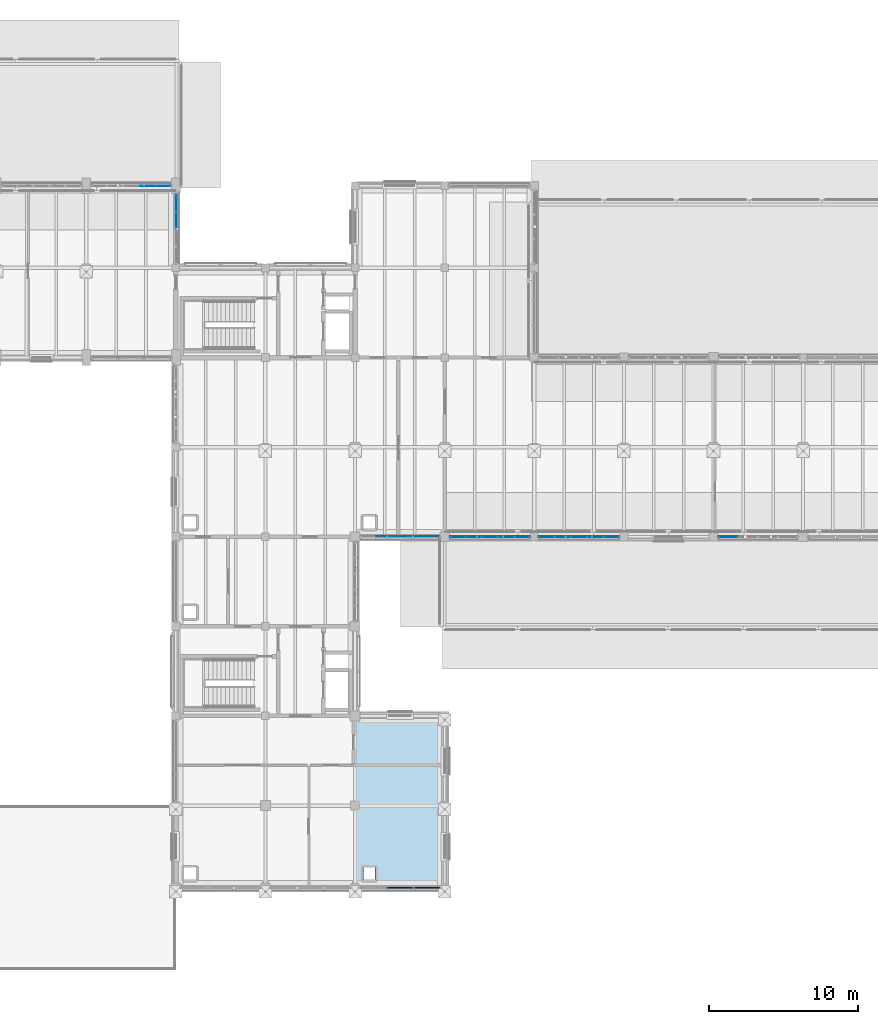
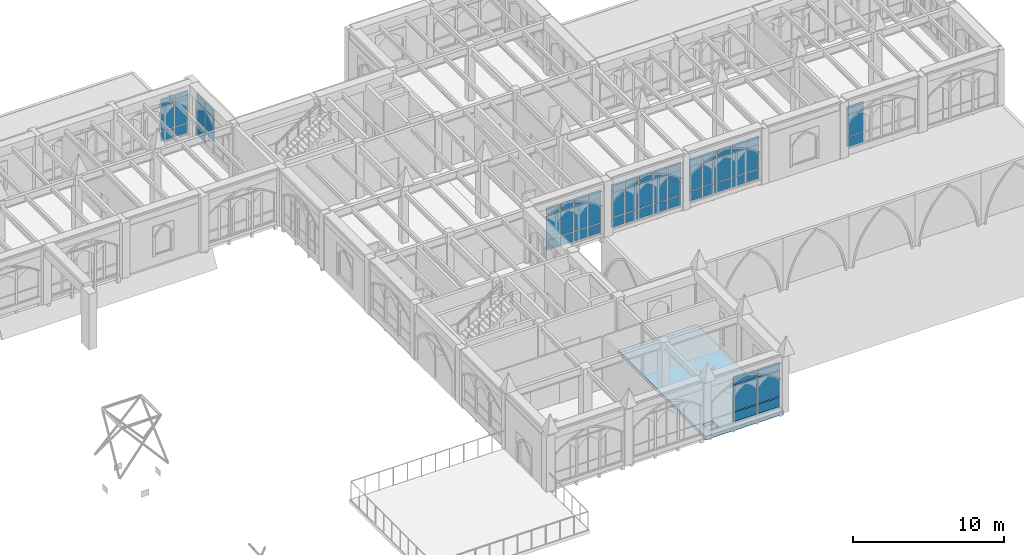
# One storey, part 97 of 143: 62 plates, 1 slab, 7 elements without a shape of their own.
"""IFC4 building model written with IfcOpenShell, lengths in metres."""

import ifcopenshell
import ifcopenshell.guid

model = None  # the IFC model being written
_history = None  # IfcOwnerHistory: only IFC2X3 demands one
_inside = {}  # id of a spatial element -> (the spatial element, [elements in it])
_under = {}  # id of a project, library or spatial element -> (it, [spatial elements below it])
_declared = {}  # id of a project -> (the project, [libraries it declares])
_typed = {}  # id of a type object -> (the type object, [elements of that type])
_made_of = {}  # id of a material, layer set ... -> (it, [elements and type objects made of it])


def new_model(schema):
    """Start an empty IFC model of exactly this schema.

    Asked for "IFC4X3", IfcOpenShell would pick the latest addendum, in which some entities
    have other attributes; the version numbers below select the first issue.
    IFC2X3 requires an IfcOwnerHistory on every rooted entity: one is made here for all.
    """
    global model, _history
    if schema == "IFC4X3":
        model = ifcopenshell.file(schema_version=(4, 3, 0, 0))
    else:
        model = ifcopenshell.file(schema=schema)
    _inside.clear()
    _under.clear()
    _declared.clear()
    _typed.clear()
    _made_of.clear()
    _history = None
    if model.schema == "IFC2X3":
        org = make("IfcOrganization", Name="unknown")
        user = make(
            "IfcPersonAndOrganization",
            ThePerson=make("IfcPerson", FamilyName="unknown"),
            TheOrganization=org,
        )
        app = make(
            "IfcApplication",
            ApplicationDeveloper=org,
            Version="unknown",
            ApplicationFullName="unknown",
            ApplicationIdentifier="unknown",
        )
        _history = make(
            "IfcOwnerHistory",
            OwningUser=user,
            OwningApplication=app,
            ChangeAction="ADDED",
            CreationDate=0,
        )
    return model


def make(cls, **values):
    """One entity of the class cls with the attributes given. An attribute that is None is left unset."""
    return model.create_entity(
        cls, **{name: value for name, value in values.items() if value is not None}
    )


def rooted(cls, **values):
    """An entity with a GlobalId (a new one), such as an element, a storey or a relation."""
    return make(cls, GlobalId=ifcopenshell.guid.new(), OwnerHistory=_history, **values)


def si_unit(unit_type, name, prefix=None):
    """IfcSIUnit, for example si_unit("LENGTHUNIT", "METRE", prefix="MILLI")."""
    return make("IfcSIUnit", UnitType=unit_type, Prefix=prefix, Name=name)


def assignment(units):
    """IfcUnitAssignment: the units of a project."""
    return None if units is None else make("IfcUnitAssignment", Units=units)


def point(xyz):
    """IfcCartesianPoint."""
    return None if xyz is None else make("IfcCartesianPoint", Coordinates=xyz)


def direction(xyz):
    """IfcDirection."""
    return None if xyz is None else make("IfcDirection", DirectionRatios=xyz)


def frame(location, z_axis=None, x_axis=None):
    """IfcAxis2Placement3D, a coordinate frame: its origin and axes. An axis left out is left unset."""
    return make(
        "IfcAxis2Placement3D",
        Location=point(location),
        Axis=direction(z_axis),
        RefDirection=direction(x_axis),
    )


def frame_2d(location, x_axis=None):
    """IfcAxis2Placement2D, a coordinate frame in the plane: its origin and x axis."""
    return make(
        "IfcAxis2Placement2D", Location=point(location), RefDirection=direction(x_axis)
    )


def origin():
    """The frame at (0, 0, 0) with its axes left unset."""
    return frame((0.0, 0.0, 0.0))


def origin_2d():
    """The frame at (0, 0) in the plane with its x axis left unset."""
    return frame_2d((0.0, 0.0))


def place(relative_to, where):
    """IfcLocalPlacement: puts the frame where relative to a parent placement (None: the world)."""
    return make(
        "IfcLocalPlacement", PlacementRelTo=relative_to, RelativePlacement=where
    )


def context(
    kind, dimensions, precision=None, world=None, true_north=None, identifier=None
):
    """IfcGeometricRepresentationContext, for example the 3D "Model" context."""
    return make(
        "IfcGeometricRepresentationContext",
        ContextIdentifier=identifier,
        ContextType=kind,
        CoordinateSpaceDimension=dimensions,
        Precision=precision,
        WorldCoordinateSystem=world,
        TrueNorth=true_north,
    )


def subcontext(parent, identifier, kind, view, scale=None):
    """IfcGeometricRepresentationSubContext, for example "Body" below "Model"."""
    return make(
        "IfcGeometricRepresentationSubContext",
        ContextIdentifier=identifier,
        ContextType=kind,
        ParentContext=parent,
        TargetScale=scale,
        TargetView=view,
    )


def project(units=None, contexts=None):
    """IfcProject with its units and contexts."""
    return rooted(
        "IfcProject",
        Name="project",
        RepresentationContexts=contexts,
        UnitsInContext=assignment(units),
    )


def spatial(cls, under=None, at=None, **own):
    """A site, building, storey or space (cls), placed at a placement, below another one or the project."""
    s = rooted(cls, ObjectPlacement=at, **own)
    if under is not None:
        _under.setdefault(under.id(), (under, []))[1].append(s)
    return s


def polyline(points):
    """IfcPolyline through the points."""
    return make("IfcPolyline", Points=[point(p) for p in points])


def profile(cls, at=None, kind="AREA", **sizes):
    """A parametric profile (cls). Its sizes go by their IFC names, for example OverallWidth=200.0."""
    return make(cls, ProfileType=kind, Position=at, **sizes)


def rectangle(**sizes):
    """IfcRectangleProfileDef."""
    return profile("IfcRectangleProfileDef", **sizes)


def outline(outer, holes=None, kind="AREA"):
    """IfcArbitraryClosedProfileDef: a profile drawn as a closed curve; with holes, ...WithVoids."""
    if holes is None:
        return make("IfcArbitraryClosedProfileDef", ProfileType=kind, OuterCurve=outer)
    return make(
        "IfcArbitraryProfileDefWithVoids",
        ProfileType=kind,
        OuterCurve=outer,
        InnerCurves=holes,
    )


def extrude(swept, where, along, depth):
    """IfcExtrudedAreaSolid: the profile swept, set in the frame where, extruded along a direction by depth."""
    return make(
        "IfcExtrudedAreaSolid",
        SweptArea=swept,
        Position=where,
        ExtrudedDirection=direction(along),
        Depth=depth,
    )


def shape(context_of_items, identifier, shape_type, items):
    """IfcShapeRepresentation: the items that make up one representation, for example the "Body"."""
    return make(
        "IfcShapeRepresentation",
        ContextOfItems=context_of_items,
        RepresentationIdentifier=identifier,
        RepresentationType=shape_type,
        Items=items,
    )


def material(Name=None, Category=None):
    """IfcMaterial."""
    return make("IfcMaterial", Name=Name, Category=Category)


def layer(
    of_material, thickness, ventilated=None, Name=None, Category=None, Priority=None
):
    """IfcMaterialLayer: one layer of a wall or slab, of a material (None: an air gap)."""
    return make(
        "IfcMaterialLayer",
        Material=of_material,
        LayerThickness=thickness,
        IsVentilated=ventilated,
        Name=Name,
        Category=Category,
        Priority=Priority,
    )


def layer_set(layers, Name=None):
    """IfcMaterialLayerSet."""
    return make("IfcMaterialLayerSet", MaterialLayers=layers, LayerSetName=Name)


def made_of(thing, what):
    """Note that an element or type object is made of a material, layer set ...; save() writes the relation."""
    if what is not None:
        _made_of.setdefault(what.id(), (what, []))[1].append(thing)
    return thing


def type_object(cls, material=None, **own):
    """A type object (cls), such as IfcWallType, which elements share."""
    return made_of(rooted(cls, **own), material)


def element(
    cls,
    number,
    at=None,
    inside=None,
    cuts=None,
    type_object=None,
    material=None,
    context=None,
    identifier="Body",
    shape_type=None,
    held_by="IfcProductDefinitionShape",
    body=None,
    shapes=None,
    **own,
):
    """One element of the class cls, such as IfcWall. Its Tag is "e" and its number.

    at: its placement. inside: the storey or other place that contains it. cuts: it is an
    opening in that element (IfcRelVoidsElement). A single representation is given by context,
    identifier, shape_type and body (its items); several are given by shapes. held_by: the class
    of the entity that holds the representations. save() writes the other relations.
    """
    e = rooted(cls, Tag="e%d" % number, ObjectPlacement=at, **own)
    if body is not None:
        shapes = [shape(context, identifier, shape_type, body)]
    if shapes is not None:
        e.Representation = make(held_by, Representations=shapes)
    if inside is not None:
        _inside.setdefault(inside.id(), (inside, []))[1].append(e)
    if cuts is not None:
        rooted(
            "IfcRelVoidsElement", RelatingBuildingElement=cuts, RelatedOpeningElement=e
        )
    if type_object is not None:
        _typed.setdefault(type_object.id(), (type_object, []))[1].append(e)
    return made_of(e, material)


def aggregate(whole, parts):
    """IfcRelAggregates: a whole, such as a stair, and the parts it consists of."""
    return rooted("IfcRelAggregates", RelatingObject=whole, RelatedObjects=parts)


def save(model, path):
    """Write the relations noted so far, then the file.

    IfcRelAggregates (storeys below a building ...), IfcRelContainedInSpatialStructure (elements
    in a storey), IfcRelDefinesByType, IfcRelAssociatesMaterial and IfcRelDeclares: one each for
    every whole, place, type object, material and project.
    """
    for whole, parts in _under.values():
        aggregate(whole, parts)
    for where, things in _inside.values():
        rooted(
            "IfcRelContainedInSpatialStructure",
            RelatedElements=things,
            RelatingStructure=where,
        )
    for kind, things in _typed.values():
        rooted("IfcRelDefinesByType", RelatedObjects=things, RelatingType=kind)
    for what, things in _made_of.values():
        rooted("IfcRelAssociatesMaterial", RelatedObjects=things, RelatingMaterial=what)
    for by, libraries in _declared.values():
        rooted("IfcRelDeclares", RelatingContext=by, RelatedDefinitions=libraries)
    model.write(path)


model = new_model("IFC4")

# Units and contexts
model_context = context("Model", 3, precision=1e-05, world=origin(), true_north=direction((0.0, 1.0)))
body_context = subcontext(model_context, "Body", "Model", "MODEL_VIEW")
ifc_project = project(units=[si_unit("LENGTHUNIT", "METRE"), si_unit("AREAUNIT", "SQUARE_METRE"), si_unit("VOLUMEUNIT", "CUBIC_METRE"), si_unit("PLANEANGLEUNIT", "RADIAN"), si_unit("MASSUNIT", "GRAM", prefix="KILO")], contexts=[model_context])

# Site, building, storey
site_placement = place(None, origin())
site = spatial("IfcSite", under=ifc_project, at=site_placement, CompositionType="ELEMENT")
building_placement = place(site_placement, origin())
building = spatial("IfcBuilding", under=site, at=building_placement, Name="Cumevento Cable Car Station", CompositionType="ELEMENT")
storey_placement = place(building_placement, frame((0.0, 0.0, 9.0)))
storey = spatial("IfcBuildingStorey", under=building, at=storey_placement, Name="L03", CompositionType="ELEMENT", Elevation=9.0)

# Slab
ifc_material_1 = material(Name="Concrete C40/50", Category="concrete")
ifc_layer_1 = layer(ifc_material_1, 0.283935546875)
ifc_layer_set_1 = layer_set([ifc_layer_1], Name="Concrete C40/50")
slab_type = type_object("IfcSlabType", Name="Concrete Deck FS-284 284", PredefinedType="FLOOR", material=ifc_layer_set_1)
slab_placement = place(storey_placement, frame((0.0, 0.0, -0.283935546875)))
element("IfcSlab", 1, at=slab_placement, inside=storey, type_object=slab_type, Name="Floor Slab FS-284 L03 B_V4a.2", PredefinedType="FLOOR", context=body_context, shape_type="SweptSolid", body=[
    extrude(outline(polyline([(130.0, 9.5), (136.0, 9.5), (136.0, 21.0), (130.0, 21.0), (130.0, 9.5)]), holes=[polyline([(130.550048828125, 10.050048828125), (131.35009765625, 10.050048828125), (131.35009765625, 10.85009765625), (130.550048828125, 10.85009765625), (130.550048828125, 10.050048828125)])]), origin(), (0.0, 0.0, 1.0), 0.283935546875),
])

# Curtain wall, plates
ifc_material_2 = material(Name="Anodised Bronze Aluminium AW-6063-T6", Category="aluminium")
ifc_layer_2 = layer(ifc_material_2, 0.177978515625)
ifc_layer_set_2 = layer_set([ifc_layer_2], Name="Anodised Bronze Aluminium AW-6063-T6")
curtain_wall_type_1 = type_object("IfcCurtainWallType", Name="Lancet Curtain Wall CW-04 1170", PredefinedType="NOTDEFINED", material=ifc_layer_set_2)
curtain_wall_1_placement = place(storey_placement, origin())
curtain_wall_1 = element("IfcCurtainWall", 2, at=curtain_wall_1_placement, inside=storey, type_object=curtain_wall_type_1, Name="Lancet Curtain Wall CW-04 L03 #115", PredefinedType="NOTDEFINED")
ifc_material_3 = material(Name="Solar Control Laminated Double Glazing", Category="glass")
ifc_layer_3 = layer(ifc_material_3, 0.033935546875)
ifc_layer_set_3 = layer_set([ifc_layer_3], Name="Solar Control Laminated Double Glazing")
plate_type_1 = type_object("IfcPlateType", Name="Glazed Panel CWP-04 34", PredefinedType="CURTAIN_PANEL", material=ifc_layer_set_3)
plate_1_placement = place(storey_placement, frame((116.080078125, 56.5, 0.375), z_axis=(0.0, 0.0, 1.0), x_axis=(1.0, 0.0, 0.0)))
plate_1 = element("IfcPlate", 3, at=plate_1_placement, type_object=plate_type_1, Name="CW-04 panel 4.1", PredefinedType="CURTAIN_PANEL", context=body_context, shape_type="SweptSolid", body=[
    extrude(rectangle(XDim=1.014892578125, YDim=0.033935546875, at=origin_2d()), origin(), (0.0, 0.0, 1.0), 0.75244140625),
])
plate_2_placement = place(storey_placement, frame((116.080078125, 56.5, 1.192626953125), z_axis=(0.0, 0.0, 1.0), x_axis=(1.0, 0.0, 0.0)))
plate_2 = element("IfcPlate", 4, at=plate_2_placement, type_object=plate_type_1, Name="CW-04 panel 4.2", PredefinedType="CURTAIN_PANEL", context=body_context, shape_type="SweptSolid", body=[
    extrude(rectangle(XDim=1.014892578125, YDim=0.033935546875, at=origin_2d()), origin(), (0.0, 0.0, 1.0), 1.919921875),
])
plate_3_placement = place(storey_placement, frame((116.080078125, 56.5, 3.177490234375), z_axis=(0.0, 0.0, 1.0), x_axis=(1.0, 0.0, 0.0)))
plate_3 = element("IfcPlate", 5, at=plate_3_placement, type_object=plate_type_1, Name="CW-04 panel 4.3", PredefinedType="CURTAIN_PANEL", context=body_context, shape_type="SweptSolid", body=[
    extrude(rectangle(XDim=1.014892578125, YDim=0.033935546875, at=origin_2d()), origin(), (0.0, 0.0, 1.0), 0.6025390625),
])
plate_4_placement = place(storey_placement, frame((117.143798828125, 56.5, 0.375), z_axis=(0.0, 0.0, 1.0), x_axis=(1.0, 0.0, 0.0)))
plate_4 = element("IfcPlate", 6, at=plate_4_placement, type_object=plate_type_1, Name="CW-04 panel 5.1", PredefinedType="CURTAIN_PANEL", context=body_context, shape_type="SweptSolid", body=[
    extrude(rectangle(XDim=0.982421875, YDim=0.033935546875, at=origin_2d()), origin(), (0.0, 0.0, 1.0), 0.75244140625),
])
plate_5_placement = place(storey_placement, frame((117.143798828125, 56.5, 1.192626953125), z_axis=(0.0, 0.0, 1.0), x_axis=(1.0, 0.0, 0.0)))
plate_5 = element("IfcPlate", 7, at=plate_5_placement, type_object=plate_type_1, Name="CW-04 panel 5.2", PredefinedType="CURTAIN_PANEL", context=body_context, shape_type="SweptSolid", body=[
    extrude(rectangle(XDim=0.982421875, YDim=0.033935546875, at=origin_2d()), origin(), (0.0, 0.0, 1.0), 1.919921875),
])
plate_6_placement = place(storey_placement, frame((117.143798828125, 56.5, 3.177490234375), z_axis=(0.0, 0.0, 1.0), x_axis=(1.0, 0.0, 0.0)))
plate_6 = element("IfcPlate", 8, at=plate_6_placement, type_object=plate_type_1, Name="CW-04 panel 5.3", PredefinedType="CURTAIN_PANEL", context=body_context, shape_type="SweptSolid", body=[
    extrude(rectangle(XDim=0.982421875, YDim=0.033935546875, at=origin_2d()), origin(), (0.0, 0.0, 1.0), 0.6025390625),
])
aggregate(curtain_wall_1, [plate_1, plate_2, plate_3, plate_4, plate_5, plate_6])

ifc_material_4 = material(Name="Anodised Bronze Aluminium AW-6063-T6", Category="aluminium")
ifc_layer_4 = layer(ifc_material_4, 0.166015625)
ifc_layer_set_4 = layer_set([ifc_layer_4], Name="Anodised Bronze Aluminium AW-6063-T6")
curtain_wall_type_2 = type_object("IfcCurtainWallType", Name="Lancet Curtain Wall CW-02 1090", PredefinedType="NOTDEFINED", material=ifc_layer_set_4)
curtain_wall_2_placement = place(storey_placement, origin())
curtain_wall_2 = element("IfcCurtainWall", 9, at=curtain_wall_2_placement, inside=storey, type_object=curtain_wall_type_2, Name="Lancet Curtain Wall CW-02 L03 #129", PredefinedType="NOTDEFINED")
plate_7_placement = place(storey_placement, frame((135.123779296875, 33.0, 0.275146484375), z_axis=(0.0, 0.0, 1.0), x_axis=(-1.0, 0.0, 0.0)))
plate_7 = element("IfcPlate", 10, at=plate_7_placement, type_object=plate_type_1, Name="CW-02 panel 1.1", PredefinedType="CURTAIN_PANEL", context=body_context, shape_type="SweptSolid", body=[
    extrude(rectangle(XDim=0.972412109375, YDim=0.033935546875, at=origin_2d()), origin(), (0.0, 0.0, 1.0), 0.75244140625),
])
plate_8_placement = place(storey_placement, frame((135.123779296875, 33.0, 1.0927734375), z_axis=(0.0, 0.0, 1.0), x_axis=(-1.0, 0.0, 0.0)))
plate_8 = element("IfcPlate", 11, at=plate_8_placement, type_object=plate_type_1, Name="CW-02 panel 1.2", PredefinedType="CURTAIN_PANEL", context=body_context, shape_type="SweptSolid", body=[
    extrude(rectangle(XDim=0.972412109375, YDim=0.033935546875, at=origin_2d()), origin(), (0.0, 0.0, 1.0), 1.952880859375),
])
plate_9_placement = place(storey_placement, frame((135.123779296875, 33.0, 3.110595703125), z_axis=(0.0, 0.0, 1.0), x_axis=(-1.0, 0.0, 0.0)))
plate_9 = element("IfcPlate", 12, at=plate_9_placement, type_object=plate_type_1, Name="CW-02 panel 1.3", PredefinedType="CURTAIN_PANEL", context=body_context, shape_type="SweptSolid", body=[
    extrude(rectangle(XDim=0.972412109375, YDim=0.033935546875, at=origin_2d()), origin(), (0.0, 0.0, 1.0), 0.6025390625),
])
plate_10_placement = place(storey_placement, frame((134.070068359375, 33.0, 0.275146484375), z_axis=(0.0, 0.0, 1.0), x_axis=(-1.0, 0.0, 0.0)))
plate_10 = element("IfcPlate", 13, at=plate_10_placement, type_object=plate_type_1, Name="CW-02 panel 2.1", PredefinedType="CURTAIN_PANEL", context=body_context, shape_type="SweptSolid", body=[
    extrude(rectangle(XDim=1.0048828125, YDim=0.033935546875, at=origin_2d()), origin(), (0.0, 0.0, 1.0), 0.75244140625),
])
plate_11_placement = place(storey_placement, frame((134.070068359375, 33.0, 1.0927734375), z_axis=(0.0, 0.0, 1.0), x_axis=(-1.0, 0.0, 0.0)))
plate_11 = element("IfcPlate", 14, at=plate_11_placement, type_object=plate_type_1, Name="CW-02 panel 2.2", PredefinedType="CURTAIN_PANEL", context=body_context, shape_type="SweptSolid", body=[
    extrude(rectangle(XDim=1.0048828125, YDim=0.033935546875, at=origin_2d()), origin(), (0.0, 0.0, 1.0), 1.952880859375),
])
plate_12_placement = place(storey_placement, frame((134.070068359375, 33.0, 3.110595703125), z_axis=(0.0, 0.0, 1.0), x_axis=(-1.0, 0.0, 0.0)))
plate_12 = element("IfcPlate", 15, at=plate_12_placement, type_object=plate_type_1, Name="CW-02 panel 2.3", PredefinedType="CURTAIN_PANEL", context=body_context, shape_type="SweptSolid", body=[
    extrude(rectangle(XDim=1.0048828125, YDim=0.033935546875, at=origin_2d()), origin(), (0.0, 0.0, 1.0), 0.6025390625),
])
plate_13_placement = place(storey_placement, frame((133.0, 33.0, 0.275146484375), z_axis=(0.0, 0.0, 1.0), x_axis=(-1.0, 0.0, 0.0)))
plate_13 = element("IfcPlate", 16, at=plate_13_placement, type_object=plate_type_1, Name="CW-02 panel 3.1", PredefinedType="CURTAIN_PANEL", context=body_context, shape_type="SweptSolid", body=[
    extrude(rectangle(XDim=1.0048828125, YDim=0.033935546875, at=origin_2d()), origin(), (0.0, 0.0, 1.0), 0.75244140625),
])
plate_14_placement = place(storey_placement, frame((133.0, 33.0, 1.0927734375), z_axis=(0.0, 0.0, 1.0), x_axis=(-1.0, 0.0, 0.0)))
plate_14 = element("IfcPlate", 17, at=plate_14_placement, type_object=plate_type_1, Name="CW-02 panel 3.2", PredefinedType="CURTAIN_PANEL", context=body_context, shape_type="SweptSolid", body=[
    extrude(rectangle(XDim=1.0048828125, YDim=0.033935546875, at=origin_2d()), origin(), (0.0, 0.0, 1.0), 1.952880859375),
])
plate_15_placement = place(storey_placement, frame((133.0, 33.0, 3.110595703125), z_axis=(0.0, 0.0, 1.0), x_axis=(-1.0, 0.0, 0.0)))
plate_15 = element("IfcPlate", 18, at=plate_15_placement, type_object=plate_type_1, Name="CW-02 panel 3.3", PredefinedType="CURTAIN_PANEL", context=body_context, shape_type="SweptSolid", body=[
    extrude(rectangle(XDim=1.0048828125, YDim=0.033935546875, at=origin_2d()), origin(), (0.0, 0.0, 1.0), 0.6025390625),
])
plate_16_placement = place(storey_placement, frame((131.929931640625, 33.0, 0.275146484375), z_axis=(0.0, 0.0, 1.0), x_axis=(-1.0, 0.0, 0.0)))
plate_16 = element("IfcPlate", 19, at=plate_16_placement, type_object=plate_type_1, Name="CW-02 panel 4.1", PredefinedType="CURTAIN_PANEL", context=body_context, shape_type="SweptSolid", body=[
    extrude(rectangle(XDim=1.0048828125, YDim=0.033935546875, at=origin_2d()), origin(), (0.0, 0.0, 1.0), 0.75244140625),
])
plate_17_placement = place(storey_placement, frame((131.929931640625, 33.0, 1.0927734375), z_axis=(0.0, 0.0, 1.0), x_axis=(-1.0, 0.0, 0.0)))
plate_17 = element("IfcPlate", 20, at=plate_17_placement, type_object=plate_type_1, Name="CW-02 panel 4.2", PredefinedType="CURTAIN_PANEL", context=body_context, shape_type="SweptSolid", body=[
    extrude(rectangle(XDim=1.0048828125, YDim=0.033935546875, at=origin_2d()), origin(), (0.0, 0.0, 1.0), 1.952880859375),
])
plate_18_placement = place(storey_placement, frame((131.929931640625, 33.0, 3.110595703125), z_axis=(0.0, 0.0, 1.0), x_axis=(-1.0, 0.0, 0.0)))
plate_18 = element("IfcPlate", 21, at=plate_18_placement, type_object=plate_type_1, Name="CW-02 panel 4.3", PredefinedType="CURTAIN_PANEL", context=body_context, shape_type="SweptSolid", body=[
    extrude(rectangle(XDim=1.0048828125, YDim=0.033935546875, at=origin_2d()), origin(), (0.0, 0.0, 1.0), 0.6025390625),
])
aggregate(curtain_wall_2, [plate_7, plate_8, plate_9, plate_10, plate_11, plate_12, plate_13, plate_14, plate_15, plate_16, plate_17, plate_18])

ifc_material_5 = material(Name="Anodised Bronze Aluminium AW-6063-T6", Category="aluminium")
ifc_layer_5 = layer(ifc_material_5, 0.18408203125)
ifc_layer_set_5 = layer_set([ifc_layer_5], Name="Anodised Bronze Aluminium AW-6063-T6")
curtain_wall_type_3 = type_object("IfcCurtainWallType", Name="Lancet Curtain Wall CW-05 1210", PredefinedType="NOTDEFINED", material=ifc_layer_set_5)
curtain_wall_3_placement = place(storey_placement, origin())
curtain_wall_3 = element("IfcCurtainWall", 22, at=curtain_wall_3_placement, inside=storey, type_object=curtain_wall_type_3, Name="Lancet Curtain Wall CW-05 L03 #116", PredefinedType="NOTDEFINED")
ifc_material_6 = material(Name="Solar Control Laminated Double Glazing", Category="glass")
ifc_layer_6 = layer(ifc_material_6, 0.0380859375)
ifc_layer_set_6 = layer_set([ifc_layer_6], Name="Solar Control Laminated Double Glazing")
plate_type_2 = type_object("IfcPlateType", Name="Glazed Panel CWP-05 38", PredefinedType="CURTAIN_PANEL", material=ifc_layer_set_6)
plate_19_placement = place(storey_placement, frame((118.0, 55.3681640625, 0.425048828125), z_axis=(0.0, 0.0, 1.0), x_axis=(0.0, -1.0, 0.0)))
plate_19 = element("IfcPlate", 23, at=plate_19_placement, type_object=plate_type_2, Name="CW-05 panel 1.1", PredefinedType="CURTAIN_PANEL", context=body_context, shape_type="SweptSolid", body=[
    extrude(rectangle(XDim=1.083740234375, YDim=0.0380859375, at=origin_2d()), origin(), (0.0, 0.0, 1.0), 0.75244140625),
])
plate_20_placement = place(storey_placement, frame((118.0, 55.3681640625, 1.242431640625), z_axis=(0.0, 0.0, 1.0), x_axis=(0.0, -1.0, 0.0)))
plate_20 = element("IfcPlate", 24, at=plate_20_placement, type_object=plate_type_2, Name="CW-05 panel 1.2", PredefinedType="CURTAIN_PANEL", context=body_context, shape_type="SweptSolid", body=[
    extrude(rectangle(XDim=1.083740234375, YDim=0.0380859375, at=origin_2d()), origin(), (0.0, 0.0, 1.0), 1.8701171875),
])
plate_21_placement = place(storey_placement, frame((118.0, 55.3681640625, 3.177490234375), z_axis=(0.0, 0.0, 1.0), x_axis=(0.0, -1.0, 0.0)))
plate_21 = element("IfcPlate", 25, at=plate_21_placement, type_object=plate_type_2, Name="CW-05 panel 1.3", PredefinedType="CURTAIN_PANEL", context=body_context, shape_type="SweptSolid", body=[
    extrude(rectangle(XDim=1.083740234375, YDim=0.0380859375, at=origin_2d()), origin(), (0.0, 0.0, 1.0), 0.6025390625),
])
plate_22_placement = place(storey_placement, frame((118.0, 54.203125, 1.242431640625), z_axis=(0.0, 0.0, 1.0), x_axis=(0.0, -1.0, 0.0)))
plate_22 = element("IfcPlate", 26, at=plate_22_placement, type_object=plate_type_2, Name="CW-05 panel 2.2", PredefinedType="CURTAIN_PANEL", context=body_context, shape_type="SweptSolid", body=[
    extrude(rectangle(XDim=1.1162109375, YDim=0.0380859375, at=origin_2d()), origin(), (0.0, 0.0, 1.0), 1.8701171875),
])
plate_23_placement = place(storey_placement, frame((118.0, 54.203125, 3.177490234375), z_axis=(0.0, 0.0, 1.0), x_axis=(0.0, -1.0, 0.0)))
plate_23 = element("IfcPlate", 27, at=plate_23_placement, type_object=plate_type_2, Name="CW-05 panel 2.3", PredefinedType="CURTAIN_PANEL", context=body_context, shape_type="SweptSolid", body=[
    extrude(rectangle(XDim=1.1162109375, YDim=0.0380859375, at=origin_2d()), origin(), (0.0, 0.0, 1.0), 0.6025390625),
])
aggregate(curtain_wall_3, [plate_19, plate_20, plate_21, plate_22, plate_23])

curtain_wall_4_placement = place(storey_placement, origin())
curtain_wall_4 = element("IfcCurtainWall", 28, at=curtain_wall_4_placement, inside=storey, type_object=curtain_wall_type_1, Name="Lancet Curtain Wall CW-04 L03 #131", PredefinedType="NOTDEFINED")
ifc_material_7 = material(Name="Solar Control Laminated Double Glazing", Category="glass")
ifc_layer_7 = layer(ifc_material_7, 0.0419921875)
ifc_layer_set_7 = layer_set([ifc_layer_7], Name="Solar Control Laminated Double Glazing")
plate_type_3 = type_object("IfcPlateType", Name="Glazed Panel CWP-06 42", PredefinedType="CURTAIN_PANEL", material=ifc_layer_set_7)
plate_24_placement = place(storey_placement, frame((141.191162109375, 33.0, 0.375), z_axis=(0.0, 0.0, 1.0), x_axis=(-1.0, 0.0, 0.0)))
plate_24 = element("IfcPlate", 29, at=plate_24_placement, type_object=plate_type_3, Name="CW-04 panel 1.1", PredefinedType="CURTAIN_PANEL", context=body_context, shape_type="SweptSolid", body=[
    extrude(rectangle(XDim=0.987548828125, YDim=0.0419921875, at=origin_2d()), origin(), (0.0, 0.0, 1.0), 0.75244140625),
])
plate_25_placement = place(storey_placement, frame((141.191162109375, 33.0, 1.1923828125), z_axis=(0.0, 0.0, 1.0), x_axis=(-1.0, 0.0, 0.0)))
plate_25 = element("IfcPlate", 30, at=plate_25_placement, type_object=plate_type_3, Name="CW-04 panel 1.2", PredefinedType="CURTAIN_PANEL", context=body_context, shape_type="SweptSolid", body=[
    extrude(rectangle(XDim=0.987548828125, YDim=0.0419921875, at=origin_2d()), origin(), (0.0, 0.0, 1.0), 1.968017578125),
])
plate_26_placement = place(storey_placement, frame((141.191162109375, 33.0, 3.2255859375), z_axis=(0.0, 0.0, 1.0), x_axis=(-1.0, 0.0, 0.0)))
plate_26 = element("IfcPlate", 31, at=plate_26_placement, type_object=plate_type_3, Name="CW-04 panel 1.3", PredefinedType="CURTAIN_PANEL", context=body_context, shape_type="SweptSolid", body=[
    extrude(rectangle(XDim=0.987548828125, YDim=0.0419921875, at=origin_2d()), origin(), (0.0, 0.0, 1.0), 0.6025390625),
])
plate_27_placement = place(storey_placement, frame((140.12255859375, 33.0, 0.375), z_axis=(0.0, 0.0, 1.0), x_axis=(-1.0, 0.0, 0.0)))
plate_27 = element("IfcPlate", 32, at=plate_27_placement, type_object=plate_type_3, Name="CW-04 panel 2.1", PredefinedType="CURTAIN_PANEL", context=body_context, shape_type="SweptSolid", body=[
    extrude(rectangle(XDim=1.02001953125, YDim=0.0419921875, at=origin_2d()), origin(), (0.0, 0.0, 1.0), 0.75244140625),
])
plate_28_placement = place(storey_placement, frame((140.12255859375, 33.0, 1.1923828125), z_axis=(0.0, 0.0, 1.0), x_axis=(-1.0, 0.0, 0.0)))
plate_28 = element("IfcPlate", 33, at=plate_28_placement, type_object=plate_type_3, Name="CW-04 panel 2.2", PredefinedType="CURTAIN_PANEL", context=body_context, shape_type="SweptSolid", body=[
    extrude(rectangle(XDim=1.02001953125, YDim=0.0419921875, at=origin_2d()), origin(), (0.0, 0.0, 1.0), 1.968017578125),
])
plate_29_placement = place(storey_placement, frame((140.12255859375, 33.0, 3.2255859375), z_axis=(0.0, 0.0, 1.0), x_axis=(-1.0, 0.0, 0.0)))
plate_29 = element("IfcPlate", 34, at=plate_29_placement, type_object=plate_type_3, Name="CW-04 panel 2.3", PredefinedType="CURTAIN_PANEL", context=body_context, shape_type="SweptSolid", body=[
    extrude(rectangle(XDim=1.02001953125, YDim=0.0419921875, at=origin_2d()), origin(), (0.0, 0.0, 1.0), 0.6025390625),
])
plate_30_placement = place(storey_placement, frame((139.03759765625, 33.0, 0.375), z_axis=(0.0, 0.0, 1.0), x_axis=(-1.0, 0.0, 0.0)))
plate_30 = element("IfcPlate", 35, at=plate_30_placement, type_object=plate_type_3, Name="CW-04 panel 3.1", PredefinedType="CURTAIN_PANEL", context=body_context, shape_type="SweptSolid", body=[
    extrude(rectangle(XDim=1.02001953125, YDim=0.0419921875, at=origin_2d()), origin(), (0.0, 0.0, 1.0), 0.75244140625),
])
plate_31_placement = place(storey_placement, frame((139.03759765625, 33.0, 1.1923828125), z_axis=(0.0, 0.0, 1.0), x_axis=(-1.0, 0.0, 0.0)))
plate_31 = element("IfcPlate", 36, at=plate_31_placement, type_object=plate_type_3, Name="CW-04 panel 3.2", PredefinedType="CURTAIN_PANEL", context=body_context, shape_type="SweptSolid", body=[
    extrude(rectangle(XDim=1.02001953125, YDim=0.0419921875, at=origin_2d()), origin(), (0.0, 0.0, 1.0), 1.968017578125),
])
plate_32_placement = place(storey_placement, frame((139.03759765625, 33.0, 3.2255859375), z_axis=(0.0, 0.0, 1.0), x_axis=(-1.0, 0.0, 0.0)))
plate_32 = element("IfcPlate", 37, at=plate_32_placement, type_object=plate_type_3, Name="CW-04 panel 3.3", PredefinedType="CURTAIN_PANEL", context=body_context, shape_type="SweptSolid", body=[
    extrude(rectangle(XDim=1.02001953125, YDim=0.0419921875, at=origin_2d()), origin(), (0.0, 0.0, 1.0), 0.6025390625),
])
plate_33_placement = place(storey_placement, frame((137.952392578125, 33.0, 0.375), z_axis=(0.0, 0.0, 1.0), x_axis=(-1.0, 0.0, 0.0)))
plate_33 = element("IfcPlate", 38, at=plate_33_placement, type_object=plate_type_3, Name="CW-04 panel 4.1", PredefinedType="CURTAIN_PANEL", context=body_context, shape_type="SweptSolid", body=[
    extrude(rectangle(XDim=1.02001953125, YDim=0.0419921875, at=origin_2d()), origin(), (0.0, 0.0, 1.0), 0.75244140625),
])
plate_34_placement = place(storey_placement, frame((137.952392578125, 33.0, 1.1923828125), z_axis=(0.0, 0.0, 1.0), x_axis=(-1.0, 0.0, 0.0)))
plate_34 = element("IfcPlate", 39, at=plate_34_placement, type_object=plate_type_3, Name="CW-04 panel 4.2", PredefinedType="CURTAIN_PANEL", context=body_context, shape_type="SweptSolid", body=[
    extrude(rectangle(XDim=1.02001953125, YDim=0.0419921875, at=origin_2d()), origin(), (0.0, 0.0, 1.0), 1.968017578125),
])
plate_35_placement = place(storey_placement, frame((137.952392578125, 33.0, 3.2255859375), z_axis=(0.0, 0.0, 1.0), x_axis=(-1.0, 0.0, 0.0)))
plate_35 = element("IfcPlate", 40, at=plate_35_placement, type_object=plate_type_3, Name="CW-04 panel 4.3", PredefinedType="CURTAIN_PANEL", context=body_context, shape_type="SweptSolid", body=[
    extrude(rectangle(XDim=1.02001953125, YDim=0.0419921875, at=origin_2d()), origin(), (0.0, 0.0, 1.0), 0.6025390625),
])
plate_36_placement = place(storey_placement, frame((136.8837890625, 33.0, 0.375), z_axis=(0.0, 0.0, 1.0), x_axis=(-1.0, 0.0, 0.0)))
plate_36 = element("IfcPlate", 41, at=plate_36_placement, type_object=plate_type_3, Name="CW-04 panel 5.1", PredefinedType="CURTAIN_PANEL", context=body_context, shape_type="SweptSolid", body=[
    extrude(rectangle(XDim=0.987548828125, YDim=0.0419921875, at=origin_2d()), origin(), (0.0, 0.0, 1.0), 0.75244140625),
])
plate_37_placement = place(storey_placement, frame((136.8837890625, 33.0, 1.1923828125), z_axis=(0.0, 0.0, 1.0), x_axis=(-1.0, 0.0, 0.0)))
plate_37 = element("IfcPlate", 42, at=plate_37_placement, type_object=plate_type_3, Name="CW-04 panel 5.2", PredefinedType="CURTAIN_PANEL", context=body_context, shape_type="SweptSolid", body=[
    extrude(rectangle(XDim=0.987548828125, YDim=0.0419921875, at=origin_2d()), origin(), (0.0, 0.0, 1.0), 1.968017578125),
])
plate_38_placement = place(storey_placement, frame((136.8837890625, 33.0, 3.2255859375), z_axis=(0.0, 0.0, 1.0), x_axis=(-1.0, 0.0, 0.0)))
plate_38 = element("IfcPlate", 43, at=plate_38_placement, type_object=plate_type_3, Name="CW-04 panel 5.3", PredefinedType="CURTAIN_PANEL", context=body_context, shape_type="SweptSolid", body=[
    extrude(rectangle(XDim=0.987548828125, YDim=0.0419921875, at=origin_2d()), origin(), (0.0, 0.0, 1.0), 0.6025390625),
])
aggregate(curtain_wall_4, [plate_24, plate_25, plate_26, plate_27, plate_28, plate_29, plate_30, plate_31, plate_32, plate_33, plate_34, plate_35, plate_36, plate_37, plate_38])

curtain_wall_5_placement = place(storey_placement, origin())
curtain_wall_5 = element("IfcCurtainWall", 44, at=curtain_wall_5_placement, inside=storey, type_object=curtain_wall_type_3, Name="Lancet Curtain Wall CW-05 L03 #132", PredefinedType="NOTDEFINED")
ifc_material_8 = material(Name="Solar Control Laminated Double Glazing", Category="glass")
ifc_layer_8 = layer(ifc_material_8, 0.0458984375)
ifc_layer_set_8 = layer_set([ifc_layer_8], Name="Solar Control Laminated Double Glazing")
plate_type_4 = type_object("IfcPlateType", Name="Glazed Panel CWP-07 46", PredefinedType="CURTAIN_PANEL", material=ifc_layer_set_8)
plate_39_placement = place(storey_placement, frame((147.1611328125, 33.0, 0.425048828125), z_axis=(0.0, 0.0, 1.0), x_axis=(-1.0, 0.0, 0.0)))
plate_39 = element("IfcPlate", 45, at=plate_39_placement, type_object=plate_type_4, Name="CW-05 panel 1.1", PredefinedType="CURTAIN_PANEL", context=body_context, shape_type="SweptSolid", body=[
    extrude(rectangle(XDim=0.99755859375, YDim=0.0458984375, at=origin_2d()), origin(), (0.0, 0.0, 1.0), 0.75244140625),
])
plate_40_placement = place(storey_placement, frame((147.1611328125, 33.0, 1.242431640625), z_axis=(0.0, 0.0, 1.0), x_axis=(-1.0, 0.0, 0.0)))
plate_40 = element("IfcPlate", 46, at=plate_40_placement, type_object=plate_type_4, Name="CW-05 panel 1.2", PredefinedType="CURTAIN_PANEL", context=body_context, shape_type="SweptSolid", body=[
    extrude(rectangle(XDim=0.99755859375, YDim=0.0458984375, at=origin_2d()), origin(), (0.0, 0.0, 1.0), 1.91796875),
])
plate_41_placement = place(storey_placement, frame((147.1611328125, 33.0, 3.2255859375), z_axis=(0.0, 0.0, 1.0), x_axis=(-1.0, 0.0, 0.0)))
plate_41 = element("IfcPlate", 47, at=plate_41_placement, type_object=plate_type_4, Name="CW-05 panel 1.3", PredefinedType="CURTAIN_PANEL", context=body_context, shape_type="SweptSolid", body=[
    extrude(rectangle(XDim=0.99755859375, YDim=0.0458984375, at=origin_2d()), origin(), (0.0, 0.0, 1.0), 0.6025390625),
])
plate_42_placement = place(storey_placement, frame((146.08251953125, 33.0, 0.425048828125), z_axis=(0.0, 0.0, 1.0), x_axis=(-1.0, 0.0, 0.0)))
plate_42 = element("IfcPlate", 48, at=plate_42_placement, type_object=plate_type_4, Name="CW-05 panel 2.1", PredefinedType="CURTAIN_PANEL", context=body_context, shape_type="SweptSolid", body=[
    extrude(rectangle(XDim=1.030029296875, YDim=0.0458984375, at=origin_2d()), origin(), (0.0, 0.0, 1.0), 0.75244140625),
])
plate_43_placement = place(storey_placement, frame((146.08251953125, 33.0, 1.242431640625), z_axis=(0.0, 0.0, 1.0), x_axis=(-1.0, 0.0, 0.0)))
plate_43 = element("IfcPlate", 49, at=plate_43_placement, type_object=plate_type_4, Name="CW-05 panel 2.2", PredefinedType="CURTAIN_PANEL", context=body_context, shape_type="SweptSolid", body=[
    extrude(rectangle(XDim=1.030029296875, YDim=0.0458984375, at=origin_2d()), origin(), (0.0, 0.0, 1.0), 1.91796875),
])
plate_44_placement = place(storey_placement, frame((146.08251953125, 33.0, 3.2255859375), z_axis=(0.0, 0.0, 1.0), x_axis=(-1.0, 0.0, 0.0)))
plate_44 = element("IfcPlate", 50, at=plate_44_placement, type_object=plate_type_4, Name="CW-05 panel 2.3", PredefinedType="CURTAIN_PANEL", context=body_context, shape_type="SweptSolid", body=[
    extrude(rectangle(XDim=1.030029296875, YDim=0.0458984375, at=origin_2d()), origin(), (0.0, 0.0, 1.0), 0.6025390625),
])
plate_45_placement = place(storey_placement, frame((144.987548828125, 33.0, 0.425048828125), z_axis=(0.0, 0.0, 1.0), x_axis=(-1.0, 0.0, 0.0)))
plate_45 = element("IfcPlate", 51, at=plate_45_placement, type_object=plate_type_4, Name="CW-05 panel 3.1", PredefinedType="CURTAIN_PANEL", context=body_context, shape_type="SweptSolid", body=[
    extrude(rectangle(XDim=1.030029296875, YDim=0.0458984375, at=origin_2d()), origin(), (0.0, 0.0, 1.0), 0.75244140625),
])
plate_46_placement = place(storey_placement, frame((144.987548828125, 33.0, 1.242431640625), z_axis=(0.0, 0.0, 1.0), x_axis=(-1.0, 0.0, 0.0)))
plate_46 = element("IfcPlate", 52, at=plate_46_placement, type_object=plate_type_4, Name="CW-05 panel 3.2", PredefinedType="CURTAIN_PANEL", context=body_context, shape_type="SweptSolid", body=[
    extrude(rectangle(XDim=1.030029296875, YDim=0.0458984375, at=origin_2d()), origin(), (0.0, 0.0, 1.0), 1.91796875),
])
plate_47_placement = place(storey_placement, frame((144.987548828125, 33.0, 3.2255859375), z_axis=(0.0, 0.0, 1.0), x_axis=(-1.0, 0.0, 0.0)))
plate_47 = element("IfcPlate", 53, at=plate_47_placement, type_object=plate_type_4, Name="CW-05 panel 3.3", PredefinedType="CURTAIN_PANEL", context=body_context, shape_type="SweptSolid", body=[
    extrude(rectangle(XDim=1.030029296875, YDim=0.0458984375, at=origin_2d()), origin(), (0.0, 0.0, 1.0), 0.6025390625),
])
plate_48_placement = place(storey_placement, frame((143.892578125, 33.0, 0.425048828125), z_axis=(0.0, 0.0, 1.0), x_axis=(-1.0, 0.0, 0.0)))
plate_48 = element("IfcPlate", 54, at=plate_48_placement, type_object=plate_type_4, Name="CW-05 panel 4.1", PredefinedType="CURTAIN_PANEL", context=body_context, shape_type="SweptSolid", body=[
    extrude(rectangle(XDim=1.030029296875, YDim=0.0458984375, at=origin_2d()), origin(), (0.0, 0.0, 1.0), 0.75244140625),
])
plate_49_placement = place(storey_placement, frame((143.892578125, 33.0, 1.242431640625), z_axis=(0.0, 0.0, 1.0), x_axis=(-1.0, 0.0, 0.0)))
plate_49 = element("IfcPlate", 55, at=plate_49_placement, type_object=plate_type_4, Name="CW-05 panel 4.2", PredefinedType="CURTAIN_PANEL", context=body_context, shape_type="SweptSolid", body=[
    extrude(rectangle(XDim=1.030029296875, YDim=0.0458984375, at=origin_2d()), origin(), (0.0, 0.0, 1.0), 1.91796875),
])
plate_50_placement = place(storey_placement, frame((143.892578125, 33.0, 3.2255859375), z_axis=(0.0, 0.0, 1.0), x_axis=(-1.0, 0.0, 0.0)))
plate_50 = element("IfcPlate", 56, at=plate_50_placement, type_object=plate_type_4, Name="CW-05 panel 4.3", PredefinedType="CURTAIN_PANEL", context=body_context, shape_type="SweptSolid", body=[
    extrude(rectangle(XDim=1.030029296875, YDim=0.0458984375, at=origin_2d()), origin(), (0.0, 0.0, 1.0), 0.6025390625),
])
plate_51_placement = place(storey_placement, frame((142.813720703125, 33.0, 0.425048828125), z_axis=(0.0, 0.0, 1.0), x_axis=(-1.0, 0.0, 0.0)))
plate_51 = element("IfcPlate", 57, at=plate_51_placement, type_object=plate_type_4, Name="CW-05 panel 5.1", PredefinedType="CURTAIN_PANEL", context=body_context, shape_type="SweptSolid", body=[
    extrude(rectangle(XDim=0.99755859375, YDim=0.0458984375, at=origin_2d()), origin(), (0.0, 0.0, 1.0), 0.75244140625),
])
plate_52_placement = place(storey_placement, frame((142.813720703125, 33.0, 1.242431640625), z_axis=(0.0, 0.0, 1.0), x_axis=(-1.0, 0.0, 0.0)))
plate_52 = element("IfcPlate", 58, at=plate_52_placement, type_object=plate_type_4, Name="CW-05 panel 5.2", PredefinedType="CURTAIN_PANEL", context=body_context, shape_type="SweptSolid", body=[
    extrude(rectangle(XDim=0.99755859375, YDim=0.0458984375, at=origin_2d()), origin(), (0.0, 0.0, 1.0), 1.91796875),
])
plate_53_placement = place(storey_placement, frame((142.813720703125, 33.0, 3.2255859375), z_axis=(0.0, 0.0, 1.0), x_axis=(-1.0, 0.0, 0.0)))
plate_53 = element("IfcPlate", 59, at=plate_53_placement, type_object=plate_type_4, Name="CW-05 panel 5.3", PredefinedType="CURTAIN_PANEL", context=body_context, shape_type="SweptSolid", body=[
    extrude(rectangle(XDim=0.99755859375, YDim=0.0458984375, at=origin_2d()), origin(), (0.0, 0.0, 1.0), 0.6025390625),
])
aggregate(curtain_wall_5, [plate_39, plate_40, plate_41, plate_42, plate_43, plate_44, plate_45, plate_46, plate_47, plate_48, plate_49, plate_50, plate_51, plate_52, plate_53])

ifc_material_9 = material(Name="Anodised Bronze Aluminium AW-6063-T6", Category="aluminium")
ifc_layer_9 = layer(ifc_material_9, 0.201904296875)
ifc_layer_set_9 = layer_set([ifc_layer_9], Name="Anodised Bronze Aluminium AW-6063-T6")
curtain_wall_type_4 = type_object("IfcCurtainWallType", Name="Lancet Curtain Wall CW-08 1330", PredefinedType="NOTDEFINED", material=ifc_layer_set_9)
curtain_wall_6_placement = place(storey_placement, origin())
curtain_wall_6 = element("IfcCurtainWall", 60, at=curtain_wall_6_placement, inside=storey, type_object=curtain_wall_type_4, Name="Lancet Curtain Wall CW-08 L03 #135", PredefinedType="NOTDEFINED")
ifc_material_10 = material(Name="Insulated Bronze Aluminium Spandrel Panel", Category="aluminium")
ifc_layer_10 = layer(ifc_material_10, 0.06005859375)
ifc_layer_set_10 = layer_set([ifc_layer_10], Name="Insulated Bronze Aluminium Spandrel Panel")
plate_type_5 = type_object("IfcPlateType", Name="Spandrel Panel CWP-10 60", PredefinedType="CURTAIN_PANEL", material=ifc_layer_set_10)
plate_54_placement = place(storey_placement, frame((154.988037109375, 33.0, 0.5849609375), z_axis=(0.0, 0.0, 1.0), x_axis=(-1.0, 0.0, 0.0)))
plate_54 = element("IfcPlate", 61, at=plate_54_placement, type_object=plate_type_5, Name="CW-08 panel 4.1", PredefinedType="CURTAIN_PANEL", context=body_context, shape_type="SweptSolid", body=[
    extrude(rectangle(XDim=1.246337890625, YDim=0.06005859375, at=origin_2d()), origin(), (0.0, 0.0, 1.0), 0.75244140625),
])
plate_55_placement = place(storey_placement, frame((154.988037109375, 33.0, 1.40234375), z_axis=(0.0, 0.0, 1.0), x_axis=(-1.0, 0.0, 0.0)))
plate_55 = element("IfcPlate", 62, at=plate_55_placement, type_object=plate_type_5, Name="CW-08 panel 4.2", PredefinedType="CURTAIN_PANEL", context=body_context, shape_type="SweptSolid", body=[
    extrude(rectangle(XDim=1.246337890625, YDim=0.06005859375, at=origin_2d()), origin(), (0.0, 0.0, 1.0), 1.758056640625),
])
plate_56_placement = place(storey_placement, frame((154.988037109375, 33.0, 3.2255859375), z_axis=(0.0, 0.0, 1.0), x_axis=(-1.0, 0.0, 0.0)))
plate_56 = element("IfcPlate", 63, at=plate_56_placement, type_object=plate_type_5, Name="CW-08 panel 4.3", PredefinedType="CURTAIN_PANEL", context=body_context, shape_type="SweptSolid", body=[
    extrude(rectangle(XDim=1.246337890625, YDim=0.06005859375, at=origin_2d()), origin(), (0.0, 0.0, 1.0), 0.6025390625),
])
aggregate(curtain_wall_6, [plate_54, plate_55, plate_56])

ifc_material_11 = material(Name="Anodised Bronze Aluminium AW-6063-T6", Category="aluminium")
ifc_layer_11 = layer(ifc_material_11, 0.238037109375)
ifc_layer_set_11 = layer_set([ifc_layer_11], Name="Anodised Bronze Aluminium AW-6063-T6")
curtain_wall_type_5 = type_object("IfcCurtainWallType", Name="Lancet Curtain Wall CW-14 1570", PredefinedType="NOTDEFINED", material=ifc_layer_set_11)
curtain_wall_7_placement = place(storey_placement, origin())
curtain_wall_7 = element("IfcCurtainWall", 64, at=curtain_wall_7_placement, inside=storey, type_object=curtain_wall_type_5, Name="Lancet Curtain Wall CW-14 L03 #125", PredefinedType="NOTDEFINED")
ifc_material_12 = material(Name="Insulated Bronze Aluminium Spandrel Panel", Category="aluminium")
ifc_layer_12 = layer(ifc_material_12, 0.0849609375)
ifc_layer_set_12 = layer_set([ifc_layer_12], Name="Insulated Bronze Aluminium Spandrel Panel")
plate_type_6 = type_object("IfcPlateType", Name="Spandrel Panel CWP-14 85", PredefinedType="CURTAIN_PANEL", material=ifc_layer_set_12)
plate_57_placement = place(storey_placement, frame((134.8212890625, 9.5, 0.47509765625), z_axis=(0.0, 0.0, 1.0), x_axis=(-1.0, 0.0, 0.0)))
plate_57 = element("IfcPlate", 65, at=plate_57_placement, type_object=plate_type_6, Name="CW-14 panel 1.1", PredefinedType="CURTAIN_PANEL", context=body_context, shape_type="SweptSolid", body=[
    extrude(rectangle(XDim=1.7275390625, YDim=0.0849609375, at=origin_2d()), origin(), (0.0, 0.0, 1.0), 0.75244140625),
])
plate_58_placement = place(storey_placement, frame((134.8212890625, 9.5, 1.29248046875), z_axis=(0.0, 0.0, 1.0), x_axis=(-1.0, 0.0, 0.0)))
plate_58 = element("IfcPlate", 66, at=plate_58_placement, type_object=plate_type_6, Name="CW-14 panel 1.2", PredefinedType="CURTAIN_PANEL", context=body_context, shape_type="SweptSolid", body=[
    extrude(rectangle(XDim=1.7275390625, YDim=0.0849609375, at=origin_2d()), origin(), (0.0, 0.0, 1.0), 2.068115234375),
])
plate_59_placement = place(storey_placement, frame((134.8212890625, 9.5, 3.425537109375), z_axis=(0.0, 0.0, 1.0), x_axis=(-1.0, 0.0, 0.0)))
plate_59 = element("IfcPlate", 67, at=plate_59_placement, type_object=plate_type_6, Name="CW-14 panel 1.3", PredefinedType="CURTAIN_PANEL", context=body_context, shape_type="SweptSolid", body=[
    extrude(rectangle(XDim=1.7275390625, YDim=0.0849609375, at=origin_2d()), origin(), (0.0, 0.0, 1.0), 0.6025390625),
])
plate_60_placement = place(storey_placement, frame((133.012451171875, 9.5, 0.47509765625), z_axis=(0.0, 0.0, 1.0), x_axis=(-1.0, 0.0, 0.0)))
plate_60 = element("IfcPlate", 68, at=plate_60_placement, type_object=plate_type_6, Name="CW-14 panel 2.1", PredefinedType="CURTAIN_PANEL", context=body_context, shape_type="SweptSolid", body=[
    extrude(rectangle(XDim=1.760009765625, YDim=0.0849609375, at=origin_2d()), origin(), (0.0, 0.0, 1.0), 0.75244140625),
])
plate_61_placement = place(storey_placement, frame((133.012451171875, 9.5, 1.29248046875), z_axis=(0.0, 0.0, 1.0), x_axis=(-1.0, 0.0, 0.0)))
plate_61 = element("IfcPlate", 69, at=plate_61_placement, type_object=plate_type_6, Name="CW-14 panel 2.2", PredefinedType="CURTAIN_PANEL", context=body_context, shape_type="SweptSolid", body=[
    extrude(rectangle(XDim=1.760009765625, YDim=0.0849609375, at=origin_2d()), origin(), (0.0, 0.0, 1.0), 2.068115234375),
])
plate_62_placement = place(storey_placement, frame((133.012451171875, 9.5, 3.425537109375), z_axis=(0.0, 0.0, 1.0), x_axis=(-1.0, 0.0, 0.0)))
plate_62 = element("IfcPlate", 70, at=plate_62_placement, type_object=plate_type_6, Name="CW-14 panel 2.3", PredefinedType="CURTAIN_PANEL", context=body_context, shape_type="SweptSolid", body=[
    extrude(rectangle(XDim=1.760009765625, YDim=0.0849609375, at=origin_2d()), origin(), (0.0, 0.0, 1.0), 0.6025390625),
])
aggregate(curtain_wall_7, [plate_57, plate_58, plate_59, plate_60, plate_61, plate_62])

save(model, "model.ifc")
